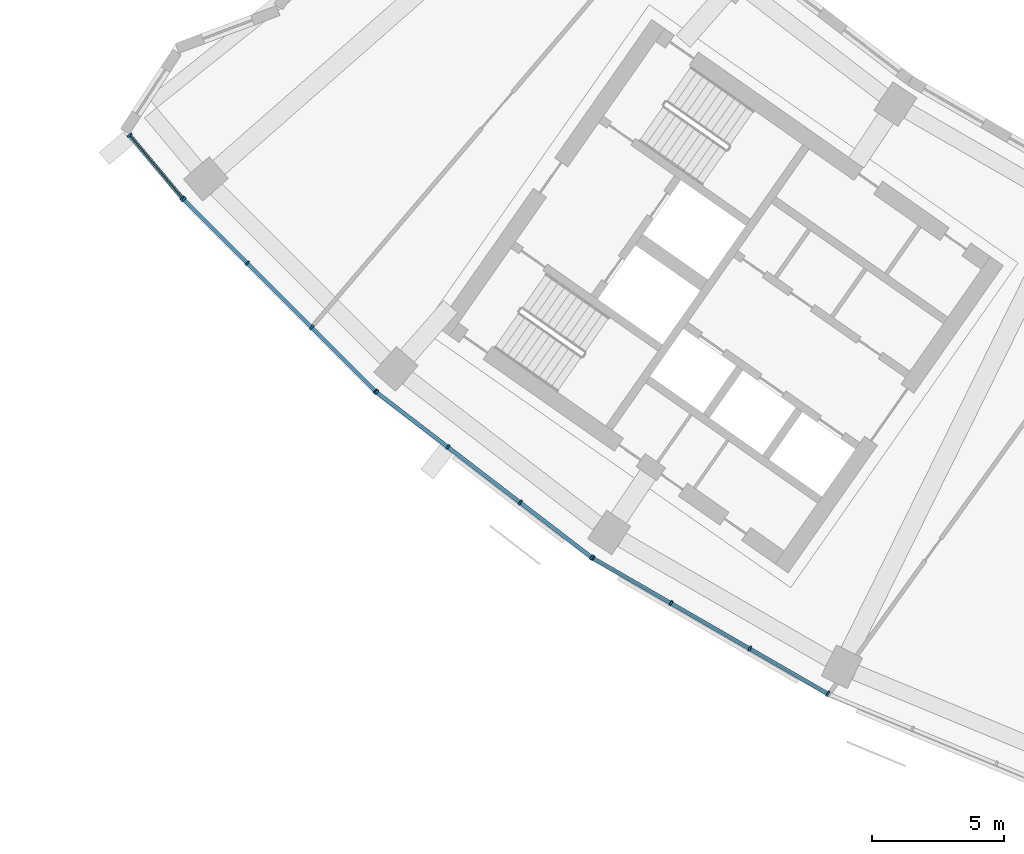
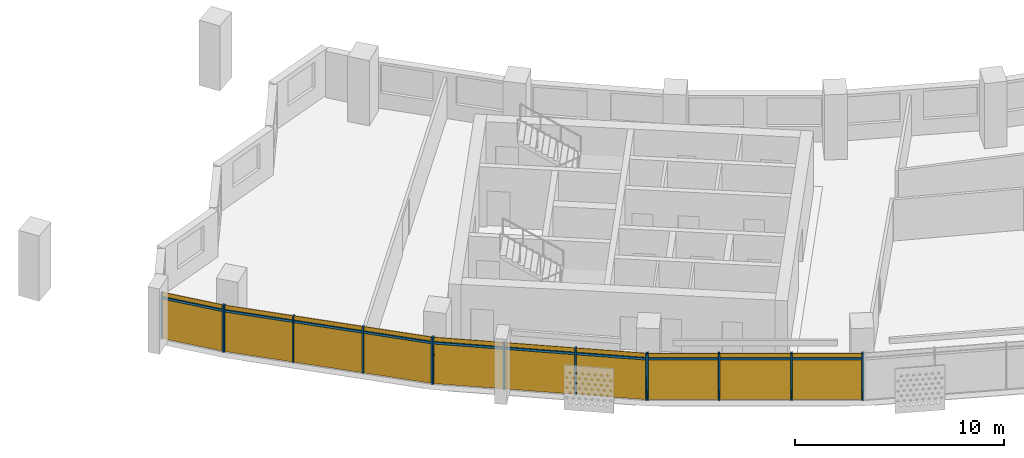
# One storey, part 17 of 27: 24 members, 4 curtain walls.
"""IFC4 building model written with IfcOpenShell, lengths in metres."""

import ifcopenshell
import ifcopenshell.guid

model = None  # the IFC model being written
_history = None  # IfcOwnerHistory: only IFC2X3 demands one
_inside = {}  # id of a spatial element -> (the spatial element, [elements in it])
_under = {}  # id of a project, library or spatial element -> (it, [spatial elements below it])
_declared = {}  # id of a project -> (the project, [libraries it declares])
_typed = {}  # id of a type object -> (the type object, [elements of that type])
_made_of = {}  # id of a material, layer set ... -> (it, [elements and type objects made of it])


def new_model(schema):
    """Start an empty IFC model of exactly this schema.

    Asked for "IFC4X3", IfcOpenShell would pick the latest addendum, in which some entities
    have other attributes; the version numbers below select the first issue.
    IFC2X3 requires an IfcOwnerHistory on every rooted entity: one is made here for all.
    """
    global model, _history
    if schema == "IFC4X3":
        model = ifcopenshell.file(schema_version=(4, 3, 0, 0))
    else:
        model = ifcopenshell.file(schema=schema)
    _inside.clear()
    _under.clear()
    _declared.clear()
    _typed.clear()
    _made_of.clear()
    _history = None
    if model.schema == "IFC2X3":
        org = make("IfcOrganization", Name="unknown")
        user = make(
            "IfcPersonAndOrganization",
            ThePerson=make("IfcPerson", FamilyName="unknown"),
            TheOrganization=org,
        )
        app = make(
            "IfcApplication",
            ApplicationDeveloper=org,
            Version="unknown",
            ApplicationFullName="unknown",
            ApplicationIdentifier="unknown",
        )
        _history = make(
            "IfcOwnerHistory",
            OwningUser=user,
            OwningApplication=app,
            ChangeAction="ADDED",
            CreationDate=0,
        )
    return model


def make(cls, **values):
    """One entity of the class cls with the attributes given. An attribute that is None is left unset."""
    return model.create_entity(
        cls, **{name: value for name, value in values.items() if value is not None}
    )


def rooted(cls, **values):
    """An entity with a GlobalId (a new one), such as an element, a storey or a relation."""
    return make(cls, GlobalId=ifcopenshell.guid.new(), OwnerHistory=_history, **values)


def si_unit(unit_type, name, prefix=None):
    """IfcSIUnit, for example si_unit("LENGTHUNIT", "METRE", prefix="MILLI")."""
    return make("IfcSIUnit", UnitType=unit_type, Prefix=prefix, Name=name)


def assignment(units):
    """IfcUnitAssignment: the units of a project."""
    return None if units is None else make("IfcUnitAssignment", Units=units)


def point(xyz):
    """IfcCartesianPoint."""
    return None if xyz is None else make("IfcCartesianPoint", Coordinates=xyz)


def direction(xyz):
    """IfcDirection."""
    return None if xyz is None else make("IfcDirection", DirectionRatios=xyz)


def frame(location, z_axis=None, x_axis=None):
    """IfcAxis2Placement3D, a coordinate frame: its origin and axes. An axis left out is left unset."""
    return make(
        "IfcAxis2Placement3D",
        Location=point(location),
        Axis=direction(z_axis),
        RefDirection=direction(x_axis),
    )


def frame_2d(location, x_axis=None):
    """IfcAxis2Placement2D, a coordinate frame in the plane: its origin and x axis."""
    return make(
        "IfcAxis2Placement2D", Location=point(location), RefDirection=direction(x_axis)
    )


def origin():
    """The frame at (0, 0, 0) with its axes left unset."""
    return frame((0.0, 0.0, 0.0))


def origin_2d():
    """The frame at (0, 0) in the plane with its x axis left unset."""
    return frame_2d((0.0, 0.0))


def place(relative_to, where):
    """IfcLocalPlacement: puts the frame where relative to a parent placement (None: the world)."""
    return make(
        "IfcLocalPlacement", PlacementRelTo=relative_to, RelativePlacement=where
    )


def context(
    kind, dimensions, precision=None, world=None, true_north=None, identifier=None
):
    """IfcGeometricRepresentationContext, for example the 3D "Model" context."""
    return make(
        "IfcGeometricRepresentationContext",
        ContextIdentifier=identifier,
        ContextType=kind,
        CoordinateSpaceDimension=dimensions,
        Precision=precision,
        WorldCoordinateSystem=world,
        TrueNorth=true_north,
    )


def subcontext(parent, identifier, kind, view, scale=None):
    """IfcGeometricRepresentationSubContext, for example "Body" below "Model"."""
    return make(
        "IfcGeometricRepresentationSubContext",
        ContextIdentifier=identifier,
        ContextType=kind,
        ParentContext=parent,
        TargetScale=scale,
        TargetView=view,
    )


def project(units=None, contexts=None):
    """IfcProject with its units and contexts."""
    return rooted(
        "IfcProject",
        Name="project",
        RepresentationContexts=contexts,
        UnitsInContext=assignment(units),
    )


def spatial(cls, under=None, at=None, **own):
    """A site, building, storey or space (cls), placed at a placement, below another one or the project."""
    s = rooted(cls, ObjectPlacement=at, **own)
    if under is not None:
        _under.setdefault(under.id(), (under, []))[1].append(s)
    return s


def profile(cls, at=None, kind="AREA", **sizes):
    """A parametric profile (cls). Its sizes go by their IFC names, for example OverallWidth=200.0."""
    return make(cls, ProfileType=kind, Position=at, **sizes)


def rectangle(**sizes):
    """IfcRectangleProfileDef."""
    return profile("IfcRectangleProfileDef", **sizes)


def extrude(swept, where, along, depth):
    """IfcExtrudedAreaSolid: the profile swept, set in the frame where, extruded along a direction by depth."""
    return make(
        "IfcExtrudedAreaSolid",
        SweptArea=swept,
        Position=where,
        ExtrudedDirection=direction(along),
        Depth=depth,
    )


def shape(context_of_items, identifier, shape_type, items):
    """IfcShapeRepresentation: the items that make up one representation, for example the "Body"."""
    return make(
        "IfcShapeRepresentation",
        ContextOfItems=context_of_items,
        RepresentationIdentifier=identifier,
        RepresentationType=shape_type,
        Items=items,
    )


def material(Name=None, Category=None):
    """IfcMaterial."""
    return make("IfcMaterial", Name=Name, Category=Category)


def material_profile(
    of_material, cross_section, Name=None, Category=None, Priority=None
):
    """IfcMaterialProfile: a cross section and its material."""
    return make(
        "IfcMaterialProfile",
        Name=Name,
        Material=of_material,
        Profile=cross_section,
        Priority=Priority,
        Category=Category,
    )


def profile_set(profiles, Name=None, composite=None):
    """IfcMaterialProfileSet."""
    return make(
        "IfcMaterialProfileSet",
        Name=Name,
        MaterialProfiles=profiles,
        CompositeProfile=composite,
    )


def made_of(thing, what):
    """Note that an element or type object is made of a material, layer set ...; save() writes the relation."""
    if what is not None:
        _made_of.setdefault(what.id(), (what, []))[1].append(thing)
    return thing


def type_object(cls, material=None, **own):
    """A type object (cls), such as IfcWallType, which elements share."""
    return made_of(rooted(cls, **own), material)


def element(
    cls,
    number,
    at=None,
    inside=None,
    cuts=None,
    type_object=None,
    material=None,
    context=None,
    identifier="Body",
    shape_type=None,
    held_by="IfcProductDefinitionShape",
    body=None,
    shapes=None,
    **own,
):
    """One element of the class cls, such as IfcWall. Its Tag is "e" and its number.

    at: its placement. inside: the storey or other place that contains it. cuts: it is an
    opening in that element (IfcRelVoidsElement). A single representation is given by context,
    identifier, shape_type and body (its items); several are given by shapes. held_by: the class
    of the entity that holds the representations. save() writes the other relations.
    """
    e = rooted(cls, Tag="e%d" % number, ObjectPlacement=at, **own)
    if body is not None:
        shapes = [shape(context, identifier, shape_type, body)]
    if shapes is not None:
        e.Representation = make(held_by, Representations=shapes)
    if inside is not None:
        _inside.setdefault(inside.id(), (inside, []))[1].append(e)
    if cuts is not None:
        rooted(
            "IfcRelVoidsElement", RelatingBuildingElement=cuts, RelatedOpeningElement=e
        )
    if type_object is not None:
        _typed.setdefault(type_object.id(), (type_object, []))[1].append(e)
    return made_of(e, material)


def aggregate(whole, parts):
    """IfcRelAggregates: a whole, such as a stair, and the parts it consists of."""
    return rooted("IfcRelAggregates", RelatingObject=whole, RelatedObjects=parts)


def save(model, path):
    """Write the relations noted so far, then the file.

    IfcRelAggregates (storeys below a building ...), IfcRelContainedInSpatialStructure (elements
    in a storey), IfcRelDefinesByType, IfcRelAssociatesMaterial and IfcRelDeclares: one each for
    every whole, place, type object, material and project.
    """
    for whole, parts in _under.values():
        aggregate(whole, parts)
    for where, things in _inside.values():
        rooted(
            "IfcRelContainedInSpatialStructure",
            RelatedElements=things,
            RelatingStructure=where,
        )
    for kind, things in _typed.values():
        rooted("IfcRelDefinesByType", RelatedObjects=things, RelatingType=kind)
    for what, things in _made_of.values():
        rooted("IfcRelAssociatesMaterial", RelatedObjects=things, RelatingMaterial=what)
    for by, libraries in _declared.values():
        rooted("IfcRelDeclares", RelatingContext=by, RelatedDefinitions=libraries)
    model.write(path)


model = new_model("IFC4")

# Units and contexts
model_context = context("Model", 3, precision=1e-05, world=origin(), true_north=direction((0.0, 1.0)))
body_context = subcontext(model_context, "Body", "Model", "MODEL_VIEW")
ifc_project = project(units=[si_unit("LENGTHUNIT", "METRE"), si_unit("AREAUNIT", "SQUARE_METRE"), si_unit("VOLUMEUNIT", "CUBIC_METRE"), si_unit("PLANEANGLEUNIT", "RADIAN"), si_unit("MASSUNIT", "GRAM", prefix="KILO")], contexts=[model_context])

# Member
ifc_material = material(Name="Aluminium 6063-T6 anodised", Category="aluminium")
ifc_material_profile_1 = material_profile(ifc_material, rectangle(XDim=0.199951171875, YDim=0.070068359375, at=origin_2d()))
ifc_profile_set_1 = profile_set([ifc_material_profile_1], Name="Aluminium 6063-T6 anodised")
member_type_1 = type_object("IfcMemberType", Name="Mullion 70 x 200 aluminium", PredefinedType="MULLION", material=ifc_profile_set_1)
site_placement = place(None, origin())
building_placement = place(site_placement, origin())
storey_placement = place(building_placement, frame((0.0, 0.0, 191.10009765625)))
member_1_placement = place(storey_placement, frame((-61.34228515625, -49.608642578125, 0.0), z_axis=(0.0, 0.0, 1.0), x_axis=(0.766550537433, 0.642183987312, 0.0)))
member_1 = element("IfcMember", 1, at=member_1_placement, type_object=member_type_1, Name="e-cw1-L45-out00/M00", PredefinedType="MULLION", context=body_context, shape_type="SweptSolid", body=[
    extrude(rectangle(XDim=0.199951171875, YDim=0.070068359375, at=origin_2d()), origin(), (0.0, 0.0, 1.0), 2.699951171875),
])

member_2_placement = place(storey_placement, frame((-59.341064453125, -51.997314453125, 0.0), z_axis=(0.0, 0.0, 1.0), x_axis=(0.766550537433, 0.642183987312, 0.0)))
member_2 = element("IfcMember", 2, at=member_2_placement, type_object=member_type_1, Name="e-cw1-L45-out00/M01", PredefinedType="MULLION", context=body_context, shape_type="SweptSolid", body=[
    extrude(rectangle(XDim=0.199951171875, YDim=0.070068359375, at=origin_2d()), origin(), (0.0, 0.0, 1.0), 2.699951171875),
])

member_3_placement = place(storey_placement, frame((-59.2998046875, -52.042236328125, 0.0), z_axis=(0.0, 0.0, 1.0), x_axis=(0.707106781187, 0.707106781187, 0.0)))
member_3 = element("IfcMember", 3, at=member_3_placement, type_object=member_type_1, Name="e-cw1-L45-out01/M00", PredefinedType="MULLION", context=body_context, shape_type="SweptSolid", body=[
    extrude(rectangle(XDim=0.199951171875, YDim=0.070068359375, at=origin_2d()), origin(), (0.0, 0.0, 1.0), 2.699951171875),
])

member_4_placement = place(storey_placement, frame((-56.888916015625, -54.453369140625, 0.0), z_axis=(0.0, 0.0, 1.0), x_axis=(0.707106781187, 0.707106781187, 0.0)))
member_4 = element("IfcMember", 4, at=member_4_placement, type_object=member_type_1, Name="e-cw1-L45-out01/M01", PredefinedType="MULLION", context=body_context, shape_type="SweptSolid", body=[
    extrude(rectangle(XDim=0.199951171875, YDim=0.070068359375, at=origin_2d()), origin(), (0.0, 0.0, 1.0), 2.699951171875),
])

member_5_placement = place(storey_placement, frame((-54.453369140625, -56.888916015625, 0.0), z_axis=(0.0, 0.0, 1.0), x_axis=(0.707106781187, 0.707106781187, 0.0)))
member_5 = element("IfcMember", 5, at=member_5_placement, type_object=member_type_1, Name="e-cw1-L45-out01/M02", PredefinedType="MULLION", context=body_context, shape_type="SweptSolid", body=[
    extrude(rectangle(XDim=0.199951171875, YDim=0.070068359375, at=origin_2d()), origin(), (0.0, 0.0, 1.0), 2.699951171875),
])

member_6_placement = place(storey_placement, frame((-52.042236328125, -59.2998046875, 0.0), z_axis=(0.0, 0.0, 1.0), x_axis=(0.707106781187, 0.707106781187, 0.0)))
member_6 = element("IfcMember", 6, at=member_6_placement, type_object=member_type_1, Name="e-cw1-L45-out01/M03", PredefinedType="MULLION", context=body_context, shape_type="SweptSolid", body=[
    extrude(rectangle(XDim=0.199951171875, YDim=0.070068359375, at=origin_2d()), origin(), (0.0, 0.0, 1.0), 2.699951171875),
])

member_7_placement = place(storey_placement, frame((-51.999755859375, -59.33740234375, 0.0), z_axis=(0.0, 0.0, 1.0), x_axis=(0.608761429009, 0.793353340291, 0.0)))
member_7 = element("IfcMember", 7, at=member_7_placement, type_object=member_type_1, Name="e-cw1-L45-out02/M00", PredefinedType="MULLION", context=body_context, shape_type="SweptSolid", body=[
    extrude(rectangle(XDim=0.199951171875, YDim=0.070068359375, at=origin_2d()), origin(), (0.0, 0.0, 1.0), 2.699951171875),
])

member_8_placement = place(storey_placement, frame((-49.294677734375, -61.412841796875, 0.0), z_axis=(0.0, 0.0, 1.0), x_axis=(0.608761429009, 0.793353340291, 0.0)))
member_8 = element("IfcMember", 8, at=member_8_placement, type_object=member_type_1, Name="e-cw1-L45-out02/M01", PredefinedType="MULLION", context=body_context, shape_type="SweptSolid", body=[
    extrude(rectangle(XDim=0.199951171875, YDim=0.070068359375, at=origin_2d()), origin(), (0.0, 0.0, 1.0), 2.699951171875),
])

member_9_placement = place(storey_placement, frame((-46.56201171875, -63.509765625, 0.0), z_axis=(0.0, 0.0, 1.0), x_axis=(0.608761429009, 0.793353340291, 0.0)))
member_9 = element("IfcMember", 9, at=member_9_placement, type_object=member_type_1, Name="e-cw1-L45-out02/M02", PredefinedType="MULLION", context=body_context, shape_type="SweptSolid", body=[
    extrude(rectangle(XDim=0.199951171875, YDim=0.070068359375, at=origin_2d()), origin(), (0.0, 0.0, 1.0), 2.699951171875),
])

member_10_placement = place(storey_placement, frame((-43.85693359375, -65.58544921875, 0.0), z_axis=(0.0, 0.0, 1.0), x_axis=(0.608761429009, 0.793353340291, 0.0)))
member_10 = element("IfcMember", 10, at=member_10_placement, type_object=member_type_1, Name="e-cw1-L45-out02/M03", PredefinedType="MULLION", context=body_context, shape_type="SweptSolid", body=[
    extrude(rectangle(XDim=0.199951171875, YDim=0.070068359375, at=origin_2d()), origin(), (0.0, 0.0, 1.0), 2.699951171875),
])

member_11_placement = place(storey_placement, frame((-43.809814453125, -65.616943359375, 0.0), z_axis=(0.0, 0.0, 1.0), x_axis=(0.5, 0.866025403784, 0.0)))
member_11 = element("IfcMember", 11, at=member_11_placement, type_object=member_type_1, Name="e-cw1-L45-out03/M00", PredefinedType="MULLION", context=body_context, shape_type="SweptSolid", body=[
    extrude(rectangle(XDim=0.199951171875, YDim=0.070068359375, at=origin_2d()), origin(), (0.0, 0.0, 1.0), 2.699951171875),
])

member_12_placement = place(storey_placement, frame((-40.85693359375, -67.32177734375, 0.0), z_axis=(0.0, 0.0, 1.0), x_axis=(0.5, 0.866025403784, 0.0)))
member_12 = element("IfcMember", 12, at=member_12_placement, type_object=member_type_1, Name="e-cw1-L45-out03/M01", PredefinedType="MULLION", context=body_context, shape_type="SweptSolid", body=[
    extrude(rectangle(XDim=0.199951171875, YDim=0.070068359375, at=origin_2d()), origin(), (0.0, 0.0, 1.0), 2.699951171875),
])

member_13_placement = place(storey_placement, frame((-37.873779296875, -69.0439453125, 0.0), z_axis=(0.0, 0.0, 1.0), x_axis=(0.5, 0.866025403784, 0.0)))
member_13 = element("IfcMember", 13, at=member_13_placement, type_object=member_type_1, Name="e-cw1-L45-out03/M02", PredefinedType="MULLION", context=body_context, shape_type="SweptSolid", body=[
    extrude(rectangle(XDim=0.199951171875, YDim=0.070068359375, at=origin_2d()), origin(), (0.0, 0.0, 1.0), 2.699951171875),
])

member_14_placement = place(storey_placement, frame((-34.921142578125, -70.748779296875, 0.0), z_axis=(0.0, 0.0, 1.0), x_axis=(0.5, 0.866025403784, 0.0)))
member_14 = element("IfcMember", 14, at=member_14_placement, type_object=member_type_1, Name="e-cw1-L45-out03/M03", PredefinedType="MULLION", context=body_context, shape_type="SweptSolid", body=[
    extrude(rectangle(XDim=0.199951171875, YDim=0.070068359375, at=origin_2d()), origin(), (0.0, 0.0, 1.0), 2.699951171875),
])

ifc_material_profile_2 = material_profile(ifc_material, rectangle(XDim=0.139892578125, YDim=0.1201171875, at=origin_2d()))
ifc_profile_set_2 = profile_set([ifc_material_profile_2], Name="Aluminium 6063-T6 anodised")
member_type_2 = type_object("IfcMemberType", Name="Transom 120 x 140 aluminium", PredefinedType="USERDEFINED", material=ifc_profile_set_2)
member_15_placement = place(storey_placement, frame((-61.31982421875, -49.635498046875, 2.39990234375), z_axis=(0.642216044452, -0.766523680162, 0.0), x_axis=(0.766523680162, 0.642216044452, 0.0)))
member_15 = element("IfcMember", 15, at=member_15_placement, type_object=member_type_2, Name="e-cw1-L45-out00/T00", ObjectType="TRANSOM", PredefinedType="USERDEFINED", context=body_context, shape_type="SweptSolid", body=[
    extrude(rectangle(XDim=0.139892578125, YDim=0.1201171875, at=origin_2d()), origin(), (0.0, 0.0, 1.0), 3.046142578125),
])

member_16_placement = place(storey_placement, frame((-59.275146484375, -52.067138671875, 2.39990234375), z_axis=(0.707106781187, -0.707106781187, 0.0), x_axis=(0.707106781187, 0.707106781187, 0.0)))
member_16 = element("IfcMember", 16, at=member_16_placement, type_object=member_type_2, Name="e-cw1-L45-out01/T00", ObjectType="TRANSOM", PredefinedType="USERDEFINED", context=body_context, shape_type="SweptSolid", body=[
    extrude(rectangle(XDim=0.139892578125, YDim=0.1201171875, at=origin_2d()), origin(), (0.0, 0.0, 1.0), 3.33935546875),
])

member_17_placement = place(storey_placement, frame((-56.8642578125, -54.47802734375, 2.39990234375), z_axis=(0.707106781187, -0.707106781187, 0.0), x_axis=(0.707106781187, 0.707106781187, 0.0)))
member_17 = element("IfcMember", 17, at=member_17_placement, type_object=member_type_2, Name="e-cw1-L45-out01/T01", ObjectType="TRANSOM", PredefinedType="USERDEFINED", context=body_context, shape_type="SweptSolid", body=[
    extrude(rectangle(XDim=0.139892578125, YDim=0.1201171875, at=origin_2d()), origin(), (0.0, 0.0, 1.0), 3.374755859375),
])

member_18_placement = place(storey_placement, frame((-54.428466796875, -56.913818359375, 2.39990234375), z_axis=(0.707106781187, -0.707106781187, 0.0), x_axis=(0.707106781187, 0.707106781187, 0.0)))
member_18 = element("IfcMember", 18, at=member_18_placement, type_object=member_type_2, Name="e-cw1-L45-out01/T02", ObjectType="TRANSOM", PredefinedType="USERDEFINED", context=body_context, shape_type="SweptSolid", body=[
    extrude(rectangle(XDim=0.139892578125, YDim=0.1201171875, at=origin_2d()), origin(), (0.0, 0.0, 1.0), 3.33935546875),
])

member_19_placement = place(storey_placement, frame((-51.971923828125, -59.358642578125, 2.39990234375), z_axis=(0.793354486861, -0.608759934767, 0.0), x_axis=(0.608759934767, 0.793354486861, 0.0)))
member_19 = element("IfcMember", 19, at=member_19_placement, type_object=member_type_2, Name="e-cw1-L45-out02/T00", ObjectType="TRANSOM", PredefinedType="USERDEFINED", context=body_context, shape_type="SweptSolid", body=[
    extrude(rectangle(XDim=0.139892578125, YDim=0.1201171875, at=origin_2d()), origin(), (0.0, 0.0, 1.0), 3.339599609375),
])

member_20_placement = place(storey_placement, frame((-49.266845703125, -61.434326171875, 2.39990234375), z_axis=(0.793371081522, -0.608738307489, 0.0), x_axis=(0.608738307489, 0.793371081522, 0.0)))
member_20 = element("IfcMember", 20, at=member_20_placement, type_object=member_type_2, Name="e-cw1-L45-out02/T01", ObjectType="TRANSOM", PredefinedType="USERDEFINED", context=body_context, shape_type="SweptSolid", body=[
    extrude(rectangle(XDim=0.139892578125, YDim=0.1201171875, at=origin_2d()), origin(), (0.0, 0.0, 1.0), 3.37451171875),
])

member_21_placement = place(storey_placement, frame((-46.5341796875, -63.53125, 2.39990234375), z_axis=(0.793354486861, -0.608759934767, 0.0), x_axis=(0.608759934767, 0.793354486861, 0.0)))
member_21 = element("IfcMember", 21, at=member_21_placement, type_object=member_type_2, Name="e-cw1-L45-out02/T02", ObjectType="TRANSOM", PredefinedType="USERDEFINED", context=body_context, shape_type="SweptSolid", body=[
    extrude(rectangle(XDim=0.139892578125, YDim=0.1201171875, at=origin_2d()), origin(), (0.0, 0.0, 1.0), 3.339599609375),
])

member_22_placement = place(storey_placement, frame((-43.779541015625, -65.634521484375, 2.39990234375), z_axis=(0.866052898888, -0.49995237406, 0.0), x_axis=(0.49995237406, 0.866052898888, 0.0)))
member_22 = element("IfcMember", 22, at=member_22_placement, type_object=member_type_2, Name="e-cw1-L45-out03/T00", ObjectType="TRANSOM", PredefinedType="USERDEFINED", context=body_context, shape_type="SweptSolid", body=[
    extrude(rectangle(XDim=0.139892578125, YDim=0.1201171875, at=origin_2d()), origin(), (0.0, 0.0, 1.0), 3.339599609375),
])

member_23_placement = place(storey_placement, frame((-40.82666015625, -67.33935546875, 2.39990234375), z_axis=(0.86602172966, -0.500006363716, 0.0), x_axis=(0.500006363716, 0.86602172966, 0.0)))
member_23 = element("IfcMember", 23, at=member_23_placement, type_object=member_type_2, Name="e-cw1-L45-out03/T01", ObjectType="TRANSOM", PredefinedType="USERDEFINED", context=body_context, shape_type="SweptSolid", body=[
    extrude(rectangle(XDim=0.139892578125, YDim=0.1201171875, at=origin_2d()), origin(), (0.0, 0.0, 1.0), 3.37451171875),
])

member_24_placement = place(storey_placement, frame((-37.843505859375, -69.0615234375, 2.39990234375), z_axis=(0.866002968352, -0.500038857296, 0.0), x_axis=(0.500038857296, 0.866002968352, 0.0)))
member_24 = element("IfcMember", 24, at=member_24_placement, type_object=member_type_2, Name="e-cw1-L45-out03/T02", ObjectType="TRANSOM", PredefinedType="USERDEFINED", context=body_context, shape_type="SweptSolid", body=[
    extrude(rectangle(XDim=0.139892578125, YDim=0.1201171875, at=origin_2d()), origin(), (0.0, 0.0, 1.0), 3.339599609375),
])

# Site, building, storey
site = spatial("IfcSite", under=ifc_project, at=site_placement, CompositionType="ELEMENT")
building = spatial("IfcBuilding", under=site, at=building_placement, Name="Qamariyya Broadcast Tower", CompositionType="ELEMENT")
storey = spatial("IfcBuildingStorey", under=building, at=storey_placement, Name="L45", CompositionType="ELEMENT", Elevation=191.10009765625)

# Curtain wall
curtain_wall_type = type_object("IfcCurtainWallType", Name="Unitised curtain wall, anodised aluminium", PredefinedType="NOTDEFINED", material=ifc_material)
curtain_wall_1_placement = place(storey_placement, origin())
curtain_wall_1 = element("IfcCurtainWall", 25, at=curtain_wall_1_placement, inside=storey, type_object=curtain_wall_type, Name="e-cw1-L45-out00", PredefinedType="NOTDEFINED", context=body_context, shape_type="SweptSolid", body=[
    extrude(rectangle(XDim=3.046142578125, YDim=0.031982421875, at=origin_2d()), frame((-60.341796875, -50.802978515625, 0.0), x_axis=(0.642187009005, -0.766548005976, 0.0)), (0.0, 0.0, 1.0), 2.340087890625),
    extrude(rectangle(XDim=3.046142578125, YDim=0.031982421875, at=origin_2d()), frame((-60.341796875, -50.802978515625, 2.4599609375), x_axis=(0.642187009005, -0.766548005976, 0.0)), (0.0, 0.0, 1.0), 0.239990234375),
])

aggregate(curtain_wall_1, [member_1, member_2, member_15])

curtain_wall_2_placement = place(storey_placement, origin())
curtain_wall_2 = element("IfcCurtainWall", 26, at=curtain_wall_2_placement, inside=storey, type_object=curtain_wall_type, Name="e-cw1-L45-out01", PredefinedType="NOTDEFINED", context=body_context, shape_type="SweptSolid", body=[
    extrude(rectangle(XDim=3.339599609375, YDim=0.031982421875, at=origin_2d()), frame((-58.094482421875, -53.247802734375, 0.0), x_axis=(0.707106781187, -0.707106781187, 0.0)), (0.0, 0.0, 1.0), 2.340087890625),
    extrude(rectangle(XDim=3.339599609375, YDim=0.031982421875, at=origin_2d()), frame((-58.094482421875, -53.247802734375, 2.4599609375), x_axis=(0.707106781187, -0.707106781187, 0.0)), (0.0, 0.0, 1.0), 0.239990234375),
    extrude(rectangle(XDim=3.37451171875, YDim=0.031982421875, at=origin_2d()), frame((-55.671142578125, -55.671142578125, 0.0), x_axis=(0.707106781187, -0.707106781187, 0.0)), (0.0, 0.0, 1.0), 2.340087890625),
    extrude(rectangle(XDim=3.37451171875, YDim=0.031982421875, at=origin_2d()), frame((-55.671142578125, -55.671142578125, 2.4599609375), x_axis=(0.707106781187, -0.707106781187, 0.0)), (0.0, 0.0, 1.0), 0.239990234375),
    extrude(rectangle(XDim=3.339599609375, YDim=0.031982421875, at=origin_2d()), frame((-53.247802734375, -58.094482421875, 0.0), x_axis=(0.707106781187, -0.707106781187, 0.0)), (0.0, 0.0, 1.0), 2.340087890625),
    extrude(rectangle(XDim=3.339599609375, YDim=0.031982421875, at=origin_2d()), frame((-53.247802734375, -58.094482421875, 2.4599609375), x_axis=(0.707106781187, -0.707106781187, 0.0)), (0.0, 0.0, 1.0), 0.239990234375),
])

aggregate(curtain_wall_2, [member_3, member_4, member_5, member_6, member_16, member_17, member_18])

curtain_wall_3_placement = place(storey_placement, origin())
curtain_wall_3 = element("IfcCurtainWall", 27, at=curtain_wall_3_placement, inside=storey, type_object=curtain_wall_type, Name="e-cw1-L45-out02", PredefinedType="NOTDEFINED", context=body_context, shape_type="SweptSolid", body=[
    extrude(rectangle(XDim=3.339599609375, YDim=0.031982421875, at=origin_2d()), frame((-50.64697265625, -60.375, 0.0), x_axis=(0.793351517557, -0.608763804434, 0.0)), (0.0, 0.0, 1.0), 2.340087890625),
    extrude(rectangle(XDim=3.339599609375, YDim=0.031982421875, at=origin_2d()), frame((-50.64697265625, -60.375, 2.4599609375), x_axis=(0.793351517557, -0.608763804434, 0.0)), (0.0, 0.0, 1.0), 0.239990234375),
    extrude(rectangle(XDim=3.37451171875, YDim=0.031982421875, at=origin_2d()), frame((-47.92822265625, -62.46142578125, 0.0), x_axis=(0.793351517557, -0.608763804434, 0.0)), (0.0, 0.0, 1.0), 2.340087890625),
    extrude(rectangle(XDim=3.37451171875, YDim=0.031982421875, at=origin_2d()), frame((-47.92822265625, -62.46142578125, 2.4599609375), x_axis=(0.793351517557, -0.608763804434, 0.0)), (0.0, 0.0, 1.0), 0.239990234375),
    extrude(rectangle(XDim=3.339599609375, YDim=0.031982421875, at=origin_2d()), frame((-45.20947265625, -64.547607421875, 0.0), x_axis=(0.793351517557, -0.608763804434, 0.0)), (0.0, 0.0, 1.0), 2.340087890625),
    extrude(rectangle(XDim=3.339599609375, YDim=0.031982421875, at=origin_2d()), frame((-45.20947265625, -64.547607421875, 2.4599609375), x_axis=(0.793351517557, -0.608763804434, 0.0)), (0.0, 0.0, 1.0), 0.239990234375),
])

aggregate(curtain_wall_3, [member_7, member_8, member_9, member_10, member_19, member_20, member_21])

curtain_wall_4_placement = place(storey_placement, origin())
curtain_wall_4 = element("IfcCurtainWall", 28, at=curtain_wall_4_placement, inside=storey, type_object=curtain_wall_type, Name="e-cw1-L45-out03", PredefinedType="NOTDEFINED", context=body_context, shape_type="SweptSolid", body=[
    extrude(rectangle(XDim=3.339599609375, YDim=0.031982421875, at=origin_2d()), frame((-42.33349609375, -66.469482421875, 0.0), x_axis=(0.866028999376, -0.499993772201, 0.0)), (0.0, 0.0, 1.0), 2.340087890625),
    extrude(rectangle(XDim=3.339599609375, YDim=0.031982421875, at=origin_2d()), frame((-42.33349609375, -66.469482421875, 2.4599609375), x_axis=(0.866028999376, -0.499993772201, 0.0)), (0.0, 0.0, 1.0), 0.239990234375),
    extrude(rectangle(XDim=3.37451171875, YDim=0.031982421875, at=origin_2d()), frame((-39.365478515625, -68.18310546875, 0.0), x_axis=(0.866028999376, -0.499993772201, 0.0)), (0.0, 0.0, 1.0), 2.340087890625),
    extrude(rectangle(XDim=3.37451171875, YDim=0.031982421875, at=origin_2d()), frame((-39.365478515625, -68.18310546875, 2.4599609375), x_axis=(0.866028999376, -0.499993772201, 0.0)), (0.0, 0.0, 1.0), 0.239990234375),
    extrude(rectangle(XDim=3.339599609375, YDim=0.031982421875, at=origin_2d()), frame((-36.3974609375, -69.896484375, 0.0), x_axis=(0.866028999376, -0.499993772201, 0.0)), (0.0, 0.0, 1.0), 2.340087890625),
    extrude(rectangle(XDim=3.339599609375, YDim=0.031982421875, at=origin_2d()), frame((-36.3974609375, -69.896484375, 2.4599609375), x_axis=(0.866028999376, -0.499993772201, 0.0)), (0.0, 0.0, 1.0), 0.239990234375),
])

aggregate(curtain_wall_4, [member_11, member_12, member_13, member_14, member_22, member_23, member_24])

save(model, "model.ifc")
